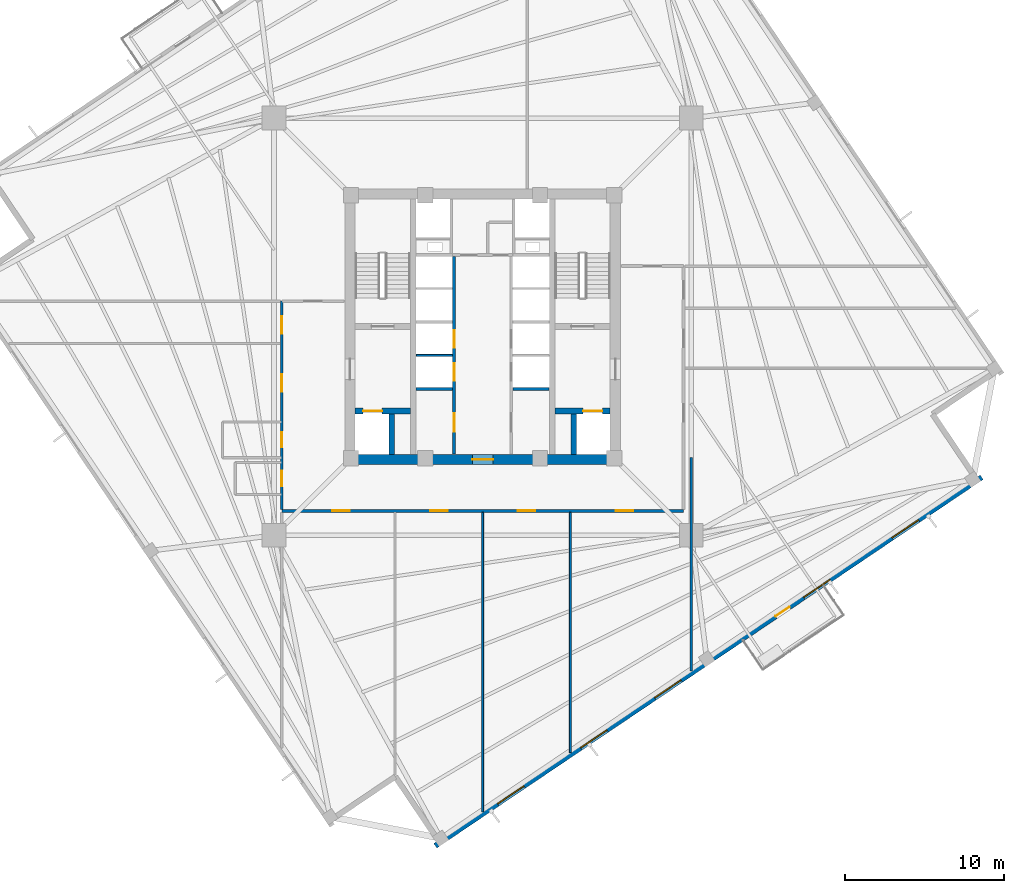
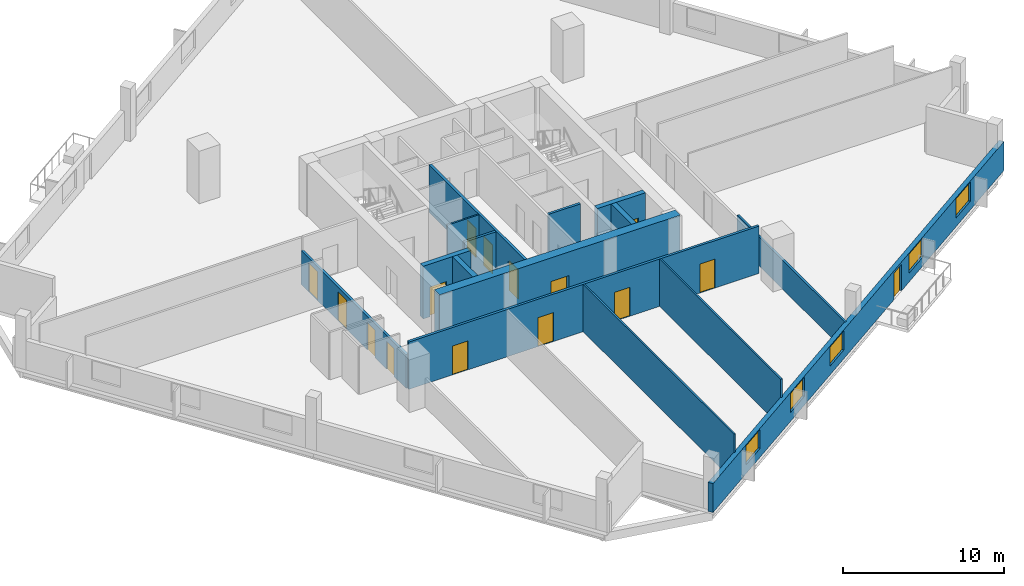
# One storey, part 3 of 8: 15 doors, 15 walls, 5 windows, 20 openings.
"""IFC4 building model written with IfcOpenShell, lengths in metres."""

import ifcopenshell
import ifcopenshell.guid

model = None  # the IFC model being written
_history = None  # IfcOwnerHistory: only IFC2X3 demands one
_inside = {}  # id of a spatial element -> (the spatial element, [elements in it])
_under = {}  # id of a project, library or spatial element -> (it, [spatial elements below it])
_declared = {}  # id of a project -> (the project, [libraries it declares])
_typed = {}  # id of a type object -> (the type object, [elements of that type])
_made_of = {}  # id of a material, layer set ... -> (it, [elements and type objects made of it])


def new_model(schema):
    """Start an empty IFC model of exactly this schema.

    Asked for "IFC4X3", IfcOpenShell would pick the latest addendum, in which some entities
    have other attributes; the version numbers below select the first issue.
    IFC2X3 requires an IfcOwnerHistory on every rooted entity: one is made here for all.
    """
    global model, _history
    if schema == "IFC4X3":
        model = ifcopenshell.file(schema_version=(4, 3, 0, 0))
    else:
        model = ifcopenshell.file(schema=schema)
    _inside.clear()
    _under.clear()
    _declared.clear()
    _typed.clear()
    _made_of.clear()
    _history = None
    if model.schema == "IFC2X3":
        org = make("IfcOrganization", Name="unknown")
        user = make(
            "IfcPersonAndOrganization",
            ThePerson=make("IfcPerson", FamilyName="unknown"),
            TheOrganization=org,
        )
        app = make(
            "IfcApplication",
            ApplicationDeveloper=org,
            Version="unknown",
            ApplicationFullName="unknown",
            ApplicationIdentifier="unknown",
        )
        _history = make(
            "IfcOwnerHistory",
            OwningUser=user,
            OwningApplication=app,
            ChangeAction="ADDED",
            CreationDate=0,
        )
    return model


def make(cls, **values):
    """One entity of the class cls with the attributes given. An attribute that is None is left unset."""
    return model.create_entity(
        cls, **{name: value for name, value in values.items() if value is not None}
    )


def rooted(cls, **values):
    """An entity with a GlobalId (a new one), such as an element, a storey or a relation."""
    return make(cls, GlobalId=ifcopenshell.guid.new(), OwnerHistory=_history, **values)


def si_unit(unit_type, name, prefix=None):
    """IfcSIUnit, for example si_unit("LENGTHUNIT", "METRE", prefix="MILLI")."""
    return make("IfcSIUnit", UnitType=unit_type, Prefix=prefix, Name=name)


def assignment(units):
    """IfcUnitAssignment: the units of a project."""
    return None if units is None else make("IfcUnitAssignment", Units=units)


def point(xyz):
    """IfcCartesianPoint."""
    return None if xyz is None else make("IfcCartesianPoint", Coordinates=xyz)


def direction(xyz):
    """IfcDirection."""
    return None if xyz is None else make("IfcDirection", DirectionRatios=xyz)


def frame(location, z_axis=None, x_axis=None):
    """IfcAxis2Placement3D, a coordinate frame: its origin and axes. An axis left out is left unset."""
    return make(
        "IfcAxis2Placement3D",
        Location=point(location),
        Axis=direction(z_axis),
        RefDirection=direction(x_axis),
    )


def frame_2d(location, x_axis=None):
    """IfcAxis2Placement2D, a coordinate frame in the plane: its origin and x axis."""
    return make(
        "IfcAxis2Placement2D", Location=point(location), RefDirection=direction(x_axis)
    )


def origin():
    """The frame at (0, 0, 0) with its axes left unset."""
    return frame((0.0, 0.0, 0.0))


def place(relative_to, where):
    """IfcLocalPlacement: puts the frame where relative to a parent placement (None: the world)."""
    return make(
        "IfcLocalPlacement", PlacementRelTo=relative_to, RelativePlacement=where
    )


def context(
    kind, dimensions, precision=None, world=None, true_north=None, identifier=None
):
    """IfcGeometricRepresentationContext, for example the 3D "Model" context."""
    return make(
        "IfcGeometricRepresentationContext",
        ContextIdentifier=identifier,
        ContextType=kind,
        CoordinateSpaceDimension=dimensions,
        Precision=precision,
        WorldCoordinateSystem=world,
        TrueNorth=true_north,
    )


def subcontext(parent, identifier, kind, view, scale=None):
    """IfcGeometricRepresentationSubContext, for example "Body" below "Model"."""
    return make(
        "IfcGeometricRepresentationSubContext",
        ContextIdentifier=identifier,
        ContextType=kind,
        ParentContext=parent,
        TargetScale=scale,
        TargetView=view,
    )


def project(units=None, contexts=None):
    """IfcProject with its units and contexts."""
    return rooted(
        "IfcProject",
        Name="project",
        RepresentationContexts=contexts,
        UnitsInContext=assignment(units),
    )


def spatial(cls, under=None, at=None, **own):
    """A site, building, storey or space (cls), placed at a placement, below another one or the project."""
    s = rooted(cls, ObjectPlacement=at, **own)
    if under is not None:
        _under.setdefault(under.id(), (under, []))[1].append(s)
    return s


def profile(cls, at=None, kind="AREA", **sizes):
    """A parametric profile (cls). Its sizes go by their IFC names, for example OverallWidth=200.0."""
    return make(cls, ProfileType=kind, Position=at, **sizes)


def rectangle(**sizes):
    """IfcRectangleProfileDef."""
    return profile("IfcRectangleProfileDef", **sizes)


def extrude(swept, where, along, depth):
    """IfcExtrudedAreaSolid: the profile swept, set in the frame where, extruded along a direction by depth."""
    return make(
        "IfcExtrudedAreaSolid",
        SweptArea=swept,
        Position=where,
        ExtrudedDirection=direction(along),
        Depth=depth,
    )


def shape(context_of_items, identifier, shape_type, items):
    """IfcShapeRepresentation: the items that make up one representation, for example the "Body"."""
    return make(
        "IfcShapeRepresentation",
        ContextOfItems=context_of_items,
        RepresentationIdentifier=identifier,
        RepresentationType=shape_type,
        Items=items,
    )


def source(mapping_origin, context_of_items, identifier, shape_type, items):
    """IfcRepresentationMap: a shape defined once, which mapped items show again and again."""
    return make(
        "IfcRepresentationMap",
        MappingOrigin=mapping_origin,
        MappedRepresentation=shape(context_of_items, identifier, shape_type, items),
    )


def transform(
    local_origin,
    x_axis=None,
    y_axis=None,
    z_axis=None,
    scale=None,
    scale2=None,
    scale3=None,
    uniform=True,
):
    """IfcCartesianTransformationOperator3D, or its non-uniform kind. x_axis, y_axis, z_axis: its Axis1, 2, 3."""
    if uniform:
        return make(
            "IfcCartesianTransformationOperator3D",
            Axis1=direction(x_axis),
            Axis2=direction(y_axis),
            LocalOrigin=point(local_origin),
            Scale=scale,
            Axis3=direction(z_axis),
        )
    return make(
        "IfcCartesianTransformationOperator3DnonUniform",
        Axis1=direction(x_axis),
        Axis2=direction(y_axis),
        LocalOrigin=point(local_origin),
        Scale=scale,
        Axis3=direction(z_axis),
        Scale2=scale2,
        Scale3=scale3,
    )


def mapped(mapping_source, mapping_target):
    """IfcMappedItem: shows the shape of a source again, moved by a transform."""
    return make(
        "IfcMappedItem", MappingSource=mapping_source, MappingTarget=mapping_target
    )


def material(Name=None, Category=None):
    """IfcMaterial."""
    return make("IfcMaterial", Name=Name, Category=Category)


def layer(
    of_material, thickness, ventilated=None, Name=None, Category=None, Priority=None
):
    """IfcMaterialLayer: one layer of a wall or slab, of a material (None: an air gap)."""
    return make(
        "IfcMaterialLayer",
        Material=of_material,
        LayerThickness=thickness,
        IsVentilated=ventilated,
        Name=Name,
        Category=Category,
        Priority=Priority,
    )


def layer_set(layers, Name=None):
    """IfcMaterialLayerSet."""
    return make("IfcMaterialLayerSet", MaterialLayers=layers, LayerSetName=Name)


def made_of(thing, what):
    """Note that an element or type object is made of a material, layer set ...; save() writes the relation."""
    if what is not None:
        _made_of.setdefault(what.id(), (what, []))[1].append(thing)
    return thing


def type_object(cls, material=None, **own):
    """A type object (cls), such as IfcWallType, which elements share."""
    return made_of(rooted(cls, **own), material)


def element(
    cls,
    number,
    at=None,
    inside=None,
    cuts=None,
    type_object=None,
    material=None,
    context=None,
    identifier="Body",
    shape_type=None,
    held_by="IfcProductDefinitionShape",
    body=None,
    shapes=None,
    **own,
):
    """One element of the class cls, such as IfcWall. Its Tag is "e" and its number.

    at: its placement. inside: the storey or other place that contains it. cuts: it is an
    opening in that element (IfcRelVoidsElement). A single representation is given by context,
    identifier, shape_type and body (its items); several are given by shapes. held_by: the class
    of the entity that holds the representations. save() writes the other relations.
    """
    e = rooted(cls, Tag="e%d" % number, ObjectPlacement=at, **own)
    if body is not None:
        shapes = [shape(context, identifier, shape_type, body)]
    if shapes is not None:
        e.Representation = make(held_by, Representations=shapes)
    if inside is not None:
        _inside.setdefault(inside.id(), (inside, []))[1].append(e)
    if cuts is not None:
        rooted(
            "IfcRelVoidsElement", RelatingBuildingElement=cuts, RelatedOpeningElement=e
        )
    if type_object is not None:
        _typed.setdefault(type_object.id(), (type_object, []))[1].append(e)
    return made_of(e, material)


def fill(opening, filler):
    """IfcRelFillsElement: the door or window that sits in an opening."""
    return rooted(
        "IfcRelFillsElement",
        RelatingOpeningElement=opening,
        RelatedBuildingElement=filler,
    )


def aggregate(whole, parts):
    """IfcRelAggregates: a whole, such as a stair, and the parts it consists of."""
    return rooted("IfcRelAggregates", RelatingObject=whole, RelatedObjects=parts)


def save(model, path):
    """Write the relations noted so far, then the file.

    IfcRelAggregates (storeys below a building ...), IfcRelContainedInSpatialStructure (elements
    in a storey), IfcRelDefinesByType, IfcRelAssociatesMaterial and IfcRelDeclares: one each for
    every whole, place, type object, material and project.
    """
    for whole, parts in _under.values():
        aggregate(whole, parts)
    for where, things in _inside.values():
        rooted(
            "IfcRelContainedInSpatialStructure",
            RelatedElements=things,
            RelatingStructure=where,
        )
    for kind, things in _typed.values():
        rooted("IfcRelDefinesByType", RelatedObjects=things, RelatingType=kind)
    for what, things in _made_of.values():
        rooted("IfcRelAssociatesMaterial", RelatedObjects=things, RelatingMaterial=what)
    for by, libraries in _declared.values():
        rooted("IfcRelDeclares", RelatingContext=by, RelatedDefinitions=libraries)
    model.write(path)


model = new_model("IFC4")

# Units and contexts
model_context = context("Model", 3, precision=1e-05, world=origin(), true_north=direction((0.0, 1.0)))
body_context = subcontext(model_context, "Body", "Model", "MODEL_VIEW")
ifc_project = project(units=[si_unit("LENGTHUNIT", "METRE"), si_unit("AREAUNIT", "SQUARE_METRE"), si_unit("VOLUMEUNIT", "CUBIC_METRE"), si_unit("PLANEANGLEUNIT", "RADIAN"), si_unit("MASSUNIT", "GRAM", prefix="KILO"), si_unit("THERMODYNAMICTEMPERATUREUNIT", "KELVIN")], contexts=[model_context])

# Site, building, storey
site_placement = place(None, origin())
site = spatial("IfcSite", under=ifc_project, at=site_placement, CompositionType="ELEMENT")
building_placement = place(site_placement, origin())
building = spatial("IfcBuilding", under=site, at=building_placement, Name="Kosmvard Interchange Tower", CompositionType="ELEMENT")
storey_placement = place(building_placement, frame((0.0, 0.0, 196.39990234375)))
storey = spatial("IfcBuildingStorey", under=building, at=storey_placement, Name="L47", CompositionType="ELEMENT", Elevation=196.39990234375)

# Wall
ifc_material_1 = material(Name="Acoustic gypsum partition system")
ifc_layer_1 = layer(ifc_material_1, 0.14990234375, Name="Acoustic gypsum partition system")
ifc_layer_set_1 = layer_set([ifc_layer_1], Name="Acoustic gypsum partition system")
wall_type_1 = type_object("IfcWallType", Name="Acoustic Suite & Meeting Partition 150", PredefinedType="PARTITIONING", material=ifc_layer_set_1)
wall_1_placement = place(storey_placement, frame((13.0810546875, -8.199951171875, 0.0), z_axis=(0.0, 0.0, 1.0), x_axis=(0.0, -1.0, 0.0)))
element("IfcWall", 1, at=wall_1_placement, inside=storey, type_object=wall_type_1, Name="L47 Room Partition 11.1", PredefinedType="PARTITIONING", context=body_context, shape_type="SweptSolid", body=[
    extrude(rectangle(XDim=13.403564453125, YDim=0.14990234375, at=frame_2d((6.70166015625, 0.0))), origin(), (0.0, 0.0, 1.0), 2.2001953125),
])

# Wall, openings, doors
ifc_material_2 = material(Name="Fire-rated gypsum partition system")
ifc_layer_2 = layer(ifc_material_2, 0.179931640625, Name="Fire-rated gypsum partition system")
ifc_layer_set_2 = layer_set([ifc_layer_2], Name="Fire-rated gypsum partition system")
wall_type_2 = type_object("IfcWallType", Name="Corridor & Hotel Compartment Partition 180", PredefinedType="PARTITIONING", material=ifc_layer_set_2)
wall_2_placement = place(storey_placement, frame((-1.7900390625, -7.97998046875, 0.0), z_axis=(0.0, 0.0, 1.0), x_axis=(0.0, 1.0, 0.0)))
wall_2 = element("IfcWall", 2, at=wall_2_placement, inside=storey, type_object=wall_type_2, Name="L47 West Lift Bank Front Wall", PredefinedType="PARTITIONING", context=body_context, shape_type="SweptSolid", body=[
    extrude(rectangle(XDim=12.3798828125, YDim=0.179931640625, at=frame_2d((6.18994140625, 0.0))), origin(), (0.0, 0.0, 1.0), 3.60009765625),
])
opening_1_placement = place(wall_2_placement, frame((4.60009765625, 0.0, 0.0)))
opening_1 = element("IfcOpeningElement", 3, at=opening_1_placement, cuts=wall_2, Name="Opening LD-PL-M1-L47", PredefinedType="OPENING", context=body_context, shape_type="SweptSolid", body=[
    extrude(rectangle(XDim=1.10009765625, YDim=2.199951171875, at=frame_2d((0.550048828125, 1.10009765625))), frame((0.0, 0.10009765625, 0.0), z_axis=(0.0, -1.0, 0.0), x_axis=(1.0, 0.0, 0.0)), (0.0, 0.0, 1.0), 0.199951171875),
])
opening_2_placement = place(wall_2_placement, frame((6.659912109375, 0.0, 0.0)))
opening_2 = element("IfcOpeningElement", 4, at=opening_2_placement, cuts=wall_2, Name="Opening LD-PL-M2-L47", PredefinedType="OPENING", context=body_context, shape_type="SweptSolid", body=[
    extrude(rectangle(XDim=1.10009765625, YDim=2.199951171875, at=frame_2d((0.550048828125, 1.10009765625))), frame((0.0, 0.10009765625, 0.0), z_axis=(0.0, -1.0, 0.0), x_axis=(1.0, 0.0, 0.0)), (0.0, 0.0, 1.0), 0.199951171875),
])
opening_3_placement = place(wall_2_placement, frame((1.39990234375, 0.0, 0.0)))
opening_3 = element("IfcOpeningElement", 5, at=opening_3_placement, cuts=wall_2, Name="Opening L47-CD1", PredefinedType="OPENING", context=body_context, shape_type="SweptSolid", body=[
    extrude(rectangle(XDim=1.14990234375, YDim=2.25, at=frame_2d((0.574951171875, 1.125))), frame((0.0, 0.10009765625, 0.0), z_axis=(0.0, -1.0, 0.0), x_axis=(1.0, 0.0, 0.0)), (0.0, 0.0, 1.0), 0.199951171875),
])
ifc_material_3 = material(Name="Painted fire-rated steel leaf", Category="steel")
door_type_1 = type_object("IfcDoorType", Name="Plant & Riser Fire Door 1150x2250 EI60", OperationType="NOTDEFINED", PredefinedType="DOOR", material=ifc_material_3)
shared_shape_1 = source(origin(), body_context, "Body", "SweptSolid", [
    extrude(rectangle(XDim=1.14990234375, YDim=2.25, at=frame_2d((0.574951171875, 1.125))), frame((0.0, 0.02490234375, 0.0), z_axis=(0.0, -1.0, 0.0), x_axis=(1.0, 0.0, 0.0)), (0.0, 0.0, 1.0), 0.050048828125),
])
door_1_placement = place(opening_3_placement, origin())
door_1 = element("IfcDoor", 6, at=door_1_placement, inside=storey, type_object=door_type_1, Name="L47 Core Switch Door", OperationType="SINGLE_SWING_LEFT", OverallHeight=2.25, OverallWidth=1.14990234375, PredefinedType="DOOR", context=body_context, shape_type="MappedRepresentation", body=[
    mapped(shared_shape_1, transform((0.0, 0.0, 0.0), scale=1.0)),
])
fill(opening_3, door_1)
ifc_material_4 = material(Name="Brushed stainless steel sliding leaf", Category="steel")
door_type_2 = type_object("IfcDoorType", Name="Passenger Lift Sliding Landing Door 1100x2200 EI60", OperationType="DOUBLE_DOOR_SLIDING", PredefinedType="DOOR", material=ifc_material_4)
shared_shape_2 = source(origin(), body_context, "Body", "SweptSolid", [
    extrude(rectangle(XDim=1.10009765625, YDim=2.199951171875, at=frame_2d((0.550048828125, 1.10009765625))), frame((0.0, 0.02490234375, 0.0), z_axis=(0.0, -1.0, 0.0), x_axis=(1.0, 0.0, 0.0)), (0.0, 0.0, 1.0), 0.050048828125),
])
door_2_placement = place(opening_1_placement, frame((1.10009765625, 0.0, 0.0), z_axis=(0.0, 0.0, 1.0), x_axis=(-1.0, 0.0, 0.0)))
door_2 = element("IfcDoor", 7, at=door_2_placement, inside=storey, type_object=door_type_2, Name="Lift PL-M1 Landing Door L47", OperationType="DOUBLE_DOOR_SLIDING", OverallHeight=2.199951171875, OverallWidth=1.10009765625, PredefinedType="DOOR", context=body_context, shape_type="MappedRepresentation", body=[
    mapped(shared_shape_2, transform((0.0, 0.0, 0.0), scale=1.0)),
])
fill(opening_1, door_2)
door_3_placement = place(opening_2_placement, frame((1.10009765625, 0.0, 0.0), z_axis=(0.0, 0.0, 1.0), x_axis=(-1.0, 0.0, 0.0)))
door_3 = element("IfcDoor", 8, at=door_3_placement, inside=storey, type_object=door_type_2, Name="Lift PL-M2 Landing Door L47", OperationType="DOUBLE_DOOR_SLIDING", OverallHeight=2.199951171875, OverallWidth=1.10009765625, PredefinedType="DOOR", context=body_context, shape_type="MappedRepresentation", body=[
    mapped(shared_shape_2, transform((0.0, 0.0, 0.0), scale=1.0)),
])
fill(opening_2, door_3)

wall_3_placement = place(storey_placement, frame((-12.60009765625, -11.550048828125, 0.0), z_axis=(0.0, 0.0, 1.0), x_axis=(1.0, 0.0, 0.0)))
wall_3 = element("IfcWall", 9, at=wall_3_placement, inside=storey, type_object=wall_type_2, Name="L47 Corridor Wall CS", PredefinedType="PARTITIONING", context=body_context, shape_type="SweptSolid", body=[
    extrude(rectangle(XDim=25.2001953125, YDim=0.179931640625, at=frame_2d((12.60009765625, 0.0))), origin(), (0.0, 0.0, 1.0), 3.60009765625),
])
opening_4_placement = place(wall_3_placement, frame((3.16455078125, 0.0, 0.0)))
opening_4 = element("IfcOpeningElement", 10, at=opening_4_placement, cuts=wall_3, Name="Opening L47-D08", PredefinedType="OPENING", context=body_context, shape_type="SweptSolid", body=[
    extrude(rectangle(XDim=1.10009765625, YDim=2.199951171875, at=frame_2d((0.550048828125, 1.10009765625))), frame((0.0, 0.10009765625, 0.0), z_axis=(0.0, -1.0, 0.0), x_axis=(1.0, 0.0, 0.0)), (0.0, 0.0, 1.0), 0.199951171875),
])
opening_5_placement = place(wall_3_placement, frame((9.300048828125, 0.0, 0.0)))
opening_5 = element("IfcOpeningElement", 11, at=opening_5_placement, cuts=wall_3, Name="Opening L47-D09", PredefinedType="OPENING", context=body_context, shape_type="SweptSolid", body=[
    extrude(rectangle(XDim=1.10009765625, YDim=2.199951171875, at=frame_2d((0.550048828125, 1.10009765625))), frame((0.0, 0.10009765625, 0.0), z_axis=(0.0, -1.0, 0.0), x_axis=(1.0, 0.0, 0.0)), (0.0, 0.0, 1.0), 0.199951171875),
])
opening_6_placement = place(wall_3_placement, frame((14.800048828125, 0.0, 0.0)))
opening_6 = element("IfcOpeningElement", 12, at=opening_6_placement, cuts=wall_3, Name="Opening L47-D10", PredefinedType="OPENING", context=body_context, shape_type="SweptSolid", body=[
    extrude(rectangle(XDim=1.10009765625, YDim=2.199951171875, at=frame_2d((0.550048828125, 1.10009765625))), frame((0.0, 0.10009765625, 0.0), z_axis=(0.0, -1.0, 0.0), x_axis=(1.0, 0.0, 0.0)), (0.0, 0.0, 1.0), 0.199951171875),
])
opening_7_placement = place(wall_3_placement, frame((20.935546875, 0.0, 0.0)))
opening_7 = element("IfcOpeningElement", 13, at=opening_7_placement, cuts=wall_3, Name="Opening L47-D11", PredefinedType="OPENING", context=body_context, shape_type="SweptSolid", body=[
    extrude(rectangle(XDim=1.10009765625, YDim=2.199951171875, at=frame_2d((0.550048828125, 1.10009765625))), frame((0.0, 0.10009765625, 0.0), z_axis=(0.0, -1.0, 0.0), x_axis=(1.0, 0.0, 0.0)), (0.0, 0.0, 1.0), 0.199951171875),
])
ifc_material_5 = material(Name="Engineered oak fire-rated timber", Category="wood")
door_type_3 = type_object("IfcDoorType", Name="Office Suite Entrance Door 1100x2200 FD30S", OperationType="NOTDEFINED", PredefinedType="DOOR", material=ifc_material_5)
door_4_placement = place(opening_4_placement, frame((1.10009765625, 0.0, 0.0), z_axis=(0.0, 0.0, 1.0), x_axis=(-1.0, 0.0, 0.0)))
door_4 = element("IfcDoor", 14, at=door_4_placement, inside=storey, type_object=door_type_3, Name="L47 Boardroom 3 Door", OperationType="SINGLE_SWING_RIGHT", OverallHeight=2.199951171875, OverallWidth=1.10009765625, PredefinedType="DOOR", context=body_context, shape_type="MappedRepresentation", body=[
    mapped(shared_shape_2, transform((0.0, 0.0, 0.0), scale=1.0)),
])
fill(opening_4, door_4)
door_5_placement = place(opening_5_placement, frame((1.10009765625, 0.0, 0.0), z_axis=(0.0, 0.0, 1.0), x_axis=(-1.0, 0.0, 0.0)))
door_5 = element("IfcDoor", 15, at=door_5_placement, inside=storey, type_object=door_type_3, Name="L47 Seminar Room 4 Door", OperationType="SINGLE_SWING_LEFT", OverallHeight=2.199951171875, OverallWidth=1.10009765625, PredefinedType="DOOR", context=body_context, shape_type="MappedRepresentation", body=[
    mapped(shared_shape_2, transform((0.0, 0.0, 0.0), scale=1.0)),
])
fill(opening_5, door_5)
door_6_placement = place(opening_6_placement, frame((1.10009765625, 0.0, 0.0), z_axis=(0.0, 0.0, 1.0), x_axis=(-1.0, 0.0, 0.0)))
door_6 = element("IfcDoor", 16, at=door_6_placement, inside=storey, type_object=door_type_3, Name="L47 Video Briefing Room 5 Door", OperationType="SINGLE_SWING_RIGHT", OverallHeight=2.199951171875, OverallWidth=1.10009765625, PredefinedType="DOOR", context=body_context, shape_type="MappedRepresentation", body=[
    mapped(shared_shape_2, transform((0.0, 0.0, 0.0), scale=1.0)),
])
fill(opening_6, door_6)
door_7_placement = place(opening_7_placement, frame((1.10009765625, 0.0, 0.0), z_axis=(0.0, 0.0, 1.0), x_axis=(-1.0, 0.0, 0.0)))
door_7 = element("IfcDoor", 17, at=door_7_placement, inside=storey, type_object=door_type_3, Name="L47 Breakout Pantry Door", OperationType="SINGLE_SWING_LEFT", OverallHeight=2.199951171875, OverallWidth=1.10009765625, PredefinedType="DOOR", context=body_context, shape_type="MappedRepresentation", body=[
    mapped(shared_shape_2, transform((0.0, 0.0, 0.0), scale=1.0)),
])
fill(opening_7, door_7)

wall_4_placement = place(storey_placement, frame((-12.60009765625, -11.449951171875, 0.0), z_axis=(0.0, 0.0, 1.0), x_axis=(0.0, 1.0, 0.0)))
wall_4 = element("IfcWall", 18, at=wall_4_placement, inside=storey, type_object=wall_type_2, Name="L47 Corridor Wall CW", PredefinedType="PARTITIONING", context=body_context, shape_type="SweptSolid", body=[
    extrude(rectangle(XDim=13.050048828125, YDim=0.179931640625, at=frame_2d((6.52490234375, 0.0))), origin(), (0.0, 0.0, 1.0), 2.56005859375),
])
opening_8_placement = place(wall_4_placement, frame((1.455078125, 0.0, 0.0)))
opening_8 = element("IfcOpeningElement", 19, at=opening_8_placement, cuts=wall_4, Name="Opening L47-D01", PredefinedType="OPENING", context=body_context, shape_type="SweptSolid", body=[
    extrude(rectangle(XDim=0.949951171875, YDim=2.10009765625, at=frame_2d((0.47509765625, 1.050048828125))), frame((0.0, 0.10009765625, 0.0), z_axis=(0.0, -1.0, 0.0), x_axis=(1.0, 0.0, 0.0)), (0.0, 0.0, 1.0), 0.199951171875),
])
opening_9_placement = place(wall_4_placement, frame((3.879150390625, 0.0, 0.0)))
opening_9 = element("IfcOpeningElement", 20, at=opening_9_placement, cuts=wall_4, Name="Opening L47-D02", PredefinedType="OPENING", context=body_context, shape_type="SweptSolid", body=[
    extrude(rectangle(XDim=0.949951171875, YDim=2.10009765625, at=frame_2d((0.47509765625, 1.050048828125))), frame((0.0, 0.10009765625, 0.0), z_axis=(0.0, -1.0, 0.0), x_axis=(1.0, 0.0, 0.0)), (0.0, 0.0, 1.0), 0.199951171875),
])
opening_10_placement = place(wall_4_placement, frame((11.010498046875, 0.0, 0.0)))
opening_10 = element("IfcOpeningElement", 21, at=opening_10_placement, cuts=wall_4, Name="Opening L47-D03", PredefinedType="OPENING", context=body_context, shape_type="SweptSolid", body=[
    extrude(rectangle(XDim=1.10009765625, YDim=2.199951171875, at=frame_2d((0.550048828125, 1.10009765625))), frame((0.0, 0.10009765625, 0.0), z_axis=(0.0, -1.0, 0.0), x_axis=(1.0, 0.0, 0.0)), (0.0, 0.0, 1.0), 0.199951171875),
])
opening_11_placement = place(wall_4_placement, frame((7.383544921875, 0.0, 0.0)))
opening_11 = element("IfcOpeningElement", 22, at=opening_11_placement, cuts=wall_4, Name="Opening L47-D07", PredefinedType="OPENING", context=body_context, shape_type="SweptSolid", body=[
    extrude(rectangle(XDim=1.10009765625, YDim=2.199951171875, at=frame_2d((0.550048828125, 1.10009765625))), frame((0.0, 0.10009765625, 0.0), z_axis=(0.0, -1.0, 0.0), x_axis=(1.0, 0.0, 0.0)), (0.0, 0.0, 1.0), 0.199951171875),
])
ifc_material_6 = material(Name="Laminated moisture-resistant timber", Category="wood")
door_type_4 = type_object("IfcDoorType", Name="Accessible Washroom Door 950x2100", OperationType="NOTDEFINED", PredefinedType="DOOR", material=ifc_material_6)
shared_shape_3 = source(origin(), body_context, "Body", "SweptSolid", [
    extrude(rectangle(XDim=0.949951171875, YDim=2.10009765625, at=frame_2d((0.47509765625, 1.050048828125))), frame((0.0, 0.02490234375, 0.0), z_axis=(0.0, -1.0, 0.0), x_axis=(1.0, 0.0, 0.0)), (0.0, 0.0, 1.0), 0.050048828125),
])
door_8_placement = place(opening_8_placement, origin())
door_8 = element("IfcDoor", 23, at=door_8_placement, inside=storey, type_object=door_type_4, Name="L47 Accessible Toilet Door", OperationType="SINGLE_SWING_LEFT", OverallHeight=2.10009765625, OverallWidth=0.949951171875, PredefinedType="DOOR", context=body_context, shape_type="MappedRepresentation", body=[
    mapped(shared_shape_3, transform((0.0, 0.0, 0.0), scale=1.0)),
])
fill(opening_8, door_8)
door_9_placement = place(opening_9_placement, origin())
door_9 = element("IfcDoor", 24, at=door_9_placement, inside=storey, type_object=door_type_4, Name="L47 Public Floor Washroom Door", OperationType="SINGLE_SWING_RIGHT", OverallHeight=2.10009765625, OverallWidth=0.949951171875, PredefinedType="DOOR", context=body_context, shape_type="MappedRepresentation", body=[
    mapped(shared_shape_3, transform((0.0, 0.0, 0.0), scale=1.0)),
])
fill(opening_9, door_9)
door_10_placement = place(opening_10_placement, origin())
door_10 = element("IfcDoor", 25, at=door_10_placement, inside=storey, type_object=door_type_3, Name="L47 West Customs Seminar Room 1 Door", OperationType="SINGLE_SWING_LEFT", OverallHeight=2.199951171875, OverallWidth=1.10009765625, PredefinedType="DOOR", context=body_context, shape_type="MappedRepresentation", body=[
    mapped(shared_shape_2, transform((0.0, 0.0, 0.0), scale=1.0)),
])
fill(opening_10, door_10)
door_11_placement = place(opening_11_placement, origin())
door_11 = element("IfcDoor", 26, at=door_11_placement, inside=storey, type_object=door_type_3, Name="L47 South-West Open Analytics Workplace Door", OperationType="SINGLE_SWING_LEFT", OverallHeight=2.199951171875, OverallWidth=1.10009765625, PredefinedType="DOOR", context=body_context, shape_type="MappedRepresentation", body=[
    mapped(shared_shape_2, transform((0.0, 0.0, 0.0), scale=1.0)),
])
fill(opening_11, door_11)

# Wall, opening, door
ifc_material_7 = material(Name="Concrete C70/85", Category="concrete")
ifc_layer_3 = layer(ifc_material_7, 0.64990234375, Name="Concrete C70/85")
ifc_layer_set_3 = layer_set([ifc_layer_3], Name="Concrete C70/85")
wall_type_3 = type_object("IfcWallType", Name="Mid Core Shear Wall 650 C70/85", PredefinedType="SHEAR", material=ifc_layer_set_3)
wall_5_placement = place(storey_placement, frame((-8.64990234375, -8.324951171875, 0.0), z_axis=(0.0, 0.0, 1.0), x_axis=(1.0, 0.0, 0.0)))
wall_5 = element("IfcWall", 27, at=wall_5_placement, inside=storey, type_object=wall_type_3, Name="L47 Core Shear Wall CW-S", PredefinedType="SHEAR", context=body_context, shape_type="SweptSolid", body=[
    extrude(rectangle(XDim=17.2998046875, YDim=0.64990234375, at=frame_2d((8.64990234375, 0.0))), origin(), (0.0, 0.0, 1.0), 4.0),
])
opening_12_placement = place(wall_5_placement, frame((8.0, 0.0, 0.0)))
opening_12 = element("IfcOpeningElement", 28, at=opening_12_placement, cuts=wall_5, Name="Opening L47-LD0", PredefinedType="OPENING", context=body_context, shape_type="SweptSolid", body=[
    extrude(rectangle(XDim=1.300048828125, YDim=2.199951171875, at=frame_2d((0.64990234375, 1.10009765625))), frame((0.0, 0.3349609375, 0.0), z_axis=(0.0, -1.0, 0.0), x_axis=(1.0, 0.0, 0.0)), (0.0, 0.0, 1.0), 0.669921875),
])
door_type_5 = type_object("IfcDoorType", Name="Firefighting Lobby Door 1300x2200 EI60", OperationType="NOTDEFINED", PredefinedType="DOOR", material=ifc_material_3)
shared_shape_4 = source(origin(), body_context, "Body", "SweptSolid", [
    extrude(rectangle(XDim=1.300048828125, YDim=2.199951171875, at=frame_2d((0.64990234375, 1.10009765625))), frame((0.0, 0.02490234375, 0.0), z_axis=(0.0, -1.0, 0.0), x_axis=(1.0, 0.0, 0.0)), (0.0, 0.0, 1.0), 0.050048828125),
])
door_12_placement = place(opening_12_placement, frame((1.300048828125, 0.0, 0.0), z_axis=(0.0, 0.0, 1.0), x_axis=(-1.0, 0.0, 0.0)))
door_12 = element("IfcDoor", 29, at=door_12_placement, inside=storey, type_object=door_type_5, Name="L47 Passenger Lift Lobby South Door", OperationType="SINGLE_SWING_RIGHT", OverallHeight=2.199951171875, OverallWidth=1.300048828125, PredefinedType="DOOR", context=body_context, shape_type="MappedRepresentation", body=[
    mapped(shared_shape_4, transform((0.0, 0.0, 0.0), scale=1.0)),
])
fill(opening_12, door_12)

# Wall, openings, windows, door
ifc_material_8 = material(Name="Precast concrete C45/55", Category="concrete")
ifc_layer_4 = layer(ifc_material_8, 0.340087890625, Name="Precast concrete C45/55")
ifc_layer_set_4 = layer_set([ifc_layer_4], Name="Precast concrete C45/55")
wall_type_4 = type_object("IfcWallType", Name="Mid Tower Precast Pier Wall 340 C45/55", PredefinedType="STANDARD", material=ifc_layer_set_4)
wall_6_placement = place(storey_placement, frame((-2.971923828125, -32.55810546875, 0.0), z_axis=(0.0, 0.0, 1.0), x_axis=(0.829036218961, 0.559194910251, 0.0)))
wall_6 = element("IfcWall", 30, at=wall_6_placement, inside=storey, type_object=wall_type_4, Name="L47 Precast Facade Wall F-S", PredefinedType="STANDARD", context=body_context, shape_type="SweptSolid", body=[
    extrude(rectangle(XDim=41.340087890625, YDim=0.340087890625, at=frame_2d((20.669921875, 0.0))), origin(), (0.0, 0.0, 1.0), 2.2001953125),
])
opening_13_placement = place(wall_6_placement, frame((25.7451171875, 0.0, 0.0)))
opening_13 = element("IfcOpeningElement", 31, at=opening_13_placement, cuts=wall_6, Name="Opening L47-BDW", PredefinedType="OPENING", context=body_context, shape_type="SweptSolid", body=[
    extrude(rectangle(XDim=1.050048828125, YDim=2.02001953125, at=frame_2d((0.52490234375, 1.010009765625))), frame((0.0, 0.18017578125, 0.0), z_axis=(0.0, -1.0, 0.0), x_axis=(1.0, 0.0, 0.0)), (0.0, 0.0, 1.0), 0.360107421875),
])
opening_14_placement = place(wall_6_placement, frame((4.710693359375, 0.0, 0.669921875)))
opening_14 = element("IfcOpeningElement", 32, at=opening_14_placement, cuts=wall_6, Name="Opening L47-W01", PredefinedType="OPENING", context=body_context, shape_type="SweptSolid", body=[
    extrude(rectangle(XDim=2.0, YDim=1.449951171875, at=frame_2d((1.0, 0.72509765625))), frame((0.0, 0.18017578125, 0.0), z_axis=(0.0, -1.0, 0.0), x_axis=(1.0, 0.0, 0.0)), (0.0, 0.0, 1.0), 0.360107421875),
])
opening_15_placement = place(wall_6_placement, frame((10.988525390625, 0.0, 0.669921875)))
opening_15 = element("IfcOpeningElement", 33, at=opening_15_placement, cuts=wall_6, Name="Opening L47-W02", PredefinedType="OPENING", context=body_context, shape_type="SweptSolid", body=[
    extrude(rectangle(XDim=2.0, YDim=1.449951171875, at=frame_2d((1.0, 0.72509765625))), frame((0.0, 0.18017578125, 0.0), z_axis=(0.0, -1.0, 0.0), x_axis=(1.0, 0.0, 0.0)), (0.0, 0.0, 1.0), 0.360107421875),
])
opening_16_placement = place(wall_6_placement, frame((16.59326171875, 0.0, 0.669921875)))
opening_16 = element("IfcOpeningElement", 34, at=opening_16_placement, cuts=wall_6, Name="Opening L47-W03", PredefinedType="OPENING", context=body_context, shape_type="SweptSolid", body=[
    extrude(rectangle(XDim=2.0, YDim=1.449951171875, at=frame_2d((1.0, 0.72509765625))), frame((0.0, 0.18017578125, 0.0), z_axis=(0.0, -1.0, 0.0), x_axis=(1.0, 0.0, 0.0)), (0.0, 0.0, 1.0), 0.360107421875),
])
opening_17_placement = place(wall_6_placement, frame((27.861083984375, 0.0, 0.669921875)))
opening_17 = element("IfcOpeningElement", 35, at=opening_17_placement, cuts=wall_6, Name="Opening L47-W04", PredefinedType="OPENING", context=body_context, shape_type="SweptSolid", body=[
    extrude(rectangle(XDim=2.0, YDim=1.449951171875, at=frame_2d((1.0, 0.72509765625))), frame((0.0, 0.18017578125, 0.0), z_axis=(0.0, -1.0, 0.0), x_axis=(1.0, 0.0, 0.0)), (0.0, 0.0, 1.0), 0.360107421875),
])
opening_18_placement = place(wall_6_placement, frame((34.552490234375, 0.0, 0.669921875)))
opening_18 = element("IfcOpeningElement", 36, at=opening_18_placement, cuts=wall_6, Name="Opening L47-W05", PredefinedType="OPENING", context=body_context, shape_type="SweptSolid", body=[
    extrude(rectangle(XDim=2.0, YDim=1.449951171875, at=frame_2d((1.0, 0.72509765625))), frame((0.0, 0.18017578125, 0.0), z_axis=(0.0, -1.0, 0.0), x_axis=(1.0, 0.0, 0.0)), (0.0, 0.0, 1.0), 0.360107421875),
])
ifc_material_9 = material(Name="Low-E solar-control double glazing", Category="glass")
window_type = type_object("IfcWindowType", Name="Transfer Zone Punched Window 2000x1450", PartitioningType="SINGLE_PANEL", PredefinedType="WINDOW", material=ifc_material_9)
shared_shape_5 = source(origin(), body_context, "Body", "SweptSolid", [
    extrude(rectangle(XDim=2.0, YDim=1.449951171875, at=frame_2d((1.0, 0.72509765625))), frame((0.0, 0.030029296875, 0.0), z_axis=(0.0, -1.0, 0.0), x_axis=(1.0, 0.0, 0.0)), (0.0, 0.0, 1.0), 0.06005859375),
])
window_1_placement = place(opening_14_placement, origin())
window_1 = element("IfcWindow", 37, at=window_1_placement, inside=storey, type_object=window_type, Name="L47 Facade Punched Window 01", OverallHeight=1.449951171875, OverallWidth=2.0, PartitioningType="SINGLE_PANEL", PredefinedType="WINDOW", context=body_context, shape_type="MappedRepresentation", body=[
    mapped(shared_shape_5, transform((0.0, 0.0, 0.0), scale=1.0)),
])
fill(opening_14, window_1)
window_2_placement = place(opening_15_placement, origin())
window_2 = element("IfcWindow", 38, at=window_2_placement, inside=storey, type_object=window_type, Name="L47 Facade Punched Window 02", OverallHeight=1.449951171875, OverallWidth=2.0, PartitioningType="SINGLE_PANEL", PredefinedType="WINDOW", context=body_context, shape_type="MappedRepresentation", body=[
    mapped(shared_shape_5, transform((0.0, 0.0, 0.0), scale=1.0)),
])
fill(opening_15, window_2)
window_3_placement = place(opening_16_placement, origin())
window_3 = element("IfcWindow", 39, at=window_3_placement, inside=storey, type_object=window_type, Name="L47 Facade Punched Window 03", OverallHeight=1.449951171875, OverallWidth=2.0, PartitioningType="SINGLE_PANEL", PredefinedType="WINDOW", context=body_context, shape_type="MappedRepresentation", body=[
    mapped(shared_shape_5, transform((0.0, 0.0, 0.0), scale=1.0)),
])
fill(opening_16, window_3)
window_4_placement = place(opening_17_placement, origin())
window_4 = element("IfcWindow", 40, at=window_4_placement, inside=storey, type_object=window_type, Name="L47 Facade Punched Window 04", OverallHeight=1.449951171875, OverallWidth=2.0, PartitioningType="SINGLE_PANEL", PredefinedType="WINDOW", context=body_context, shape_type="MappedRepresentation", body=[
    mapped(shared_shape_5, transform((0.0, 0.0, 0.0), scale=1.0)),
])
fill(opening_17, window_4)
window_5_placement = place(opening_18_placement, origin())
window_5 = element("IfcWindow", 41, at=window_5_placement, inside=storey, type_object=window_type, Name="L47 Facade Punched Window 05", OverallHeight=1.449951171875, OverallWidth=2.0, PartitioningType="SINGLE_PANEL", PredefinedType="WINDOW", context=body_context, shape_type="MappedRepresentation", body=[
    mapped(shared_shape_5, transform((0.0, 0.0, 0.0), scale=1.0)),
])
fill(opening_18, window_5)
ifc_material_10 = material(Name="Anodised aluminium and safety glass", Category="aluminium")
door_type_6 = type_object("IfcDoorType", Name="Tree-Balcony Glazed Door 1050x2250", OperationType="NOTDEFINED", PredefinedType="DOOR", material=ifc_material_10)
shared_shape_6 = source(origin(), body_context, "Body", "SweptSolid", [
    extrude(rectangle(XDim=1.050048828125, YDim=2.02001953125, at=frame_2d((0.52490234375, 1.010009765625))), frame((0.0, 0.02490234375, 0.0), z_axis=(0.0, -1.0, 0.0), x_axis=(1.0, 0.0, 0.0)), (0.0, 0.0, 1.0), 0.050048828125),
])
door_13_placement = place(opening_13_placement, origin())
door_13 = element("IfcDoor", 42, at=door_13_placement, inside=storey, type_object=door_type_6, Name="L47 Tree-Balcony Door BAL-L47-SW", OperationType="SINGLE_SWING_RIGHT", OverallHeight=2.02001953125, OverallWidth=1.050048828125, PredefinedType="DOOR", context=body_context, shape_type="MappedRepresentation", body=[
    mapped(shared_shape_6, transform((0.0, 0.0, 0.0), scale=1.0)),
])
fill(opening_13, door_13)

# Walls
ifc_material_11 = material(Name="Gypsum board partition system")
ifc_layer_5 = layer(ifc_material_11, 0.1201171875, Name="Gypsum board partition system")
ifc_layer_set_5 = layer_set([ifc_layer_5], Name="Gypsum board partition system")
wall_type_5 = type_object("IfcWallType", Name="Office Cellular Partition 120", PredefinedType="PARTITIONING", material=ifc_layer_set_5)
wall_7_placement = place(storey_placement, frame((0.0, -30.4267578125, 0.0), z_axis=(0.0, 0.0, 1.0), x_axis=(0.0, 1.0, 0.0)))
element("IfcWall", 43, at=wall_7_placement, inside=storey, type_object=wall_type_5, Name="L47 Room Partition 08.1", PredefinedType="PARTITIONING", context=body_context, shape_type="SweptSolid", body=[
    extrude(rectangle(XDim=18.78173828125, YDim=0.1201171875, at=frame_2d((9.390869140625, 0.0))), origin(), (0.0, 0.0, 1.0), 3.60009765625),
])
wall_8_placement = place(storey_placement, frame((5.5, -26.717041015625, 0.0), z_axis=(0.0, 0.0, 1.0), x_axis=(0.0, 1.0, 0.0)))
element("IfcWall", 44, at=wall_8_placement, inside=storey, type_object=wall_type_5, Name="L47 Room Partition 09.1", PredefinedType="PARTITIONING", context=body_context, shape_type="SweptSolid", body=[
    extrude(rectangle(XDim=15.072021484375, YDim=0.1201171875, at=frame_2d((7.5361328125, 0.0))), origin(), (0.0, 0.0, 1.0), 3.60009765625),
])
ifc_material_12 = material(Name="Concrete blockwork masonry", Category="masonry")
ifc_layer_6 = layer(ifc_material_12, 0.179931640625, Name="Concrete blockwork masonry")
ifc_layer_set_6 = layer_set([ifc_layer_6], Name="Concrete blockwork masonry")
wall_type_6 = type_object("IfcWallType", Name="Riser & Lift Bank Divider Wall 180", PredefinedType="PARTITIONING", material=ifc_layer_set_6)
for number, where, z_axis, x_axis, name in (
    (45, (-4.169921875, -3.89990234375, 0.0), (0.0, 0.0, 1.0), (1.0, 0.0, 0.0), "L47 West Bank Divider BD1"),
    (46, (1.889892578125, -3.89990234375, 0.0), (0.0, 0.0, 1.0), (1.0, 0.0, 0.0), "L47 East Bank Divider BD1"),
):
    element("IfcWall", number, at=place(storey_placement, frame(where, z_axis=z_axis, x_axis=x_axis)), inside=storey, type_object=wall_type_6, Name=name, PredefinedType="PARTITIONING", context=body_context, shape_type="SweptSolid", body=[
        extrude(rectangle(XDim=2.280029296875, YDim=0.179931640625, at=frame_2d((1.14013671875, 0.0))), origin(), (0.0, 0.0, 1.0), 3.60009765625),
    ])
ifc_material_13 = material(Name="Fire-rated gypsum shaftwall system")
ifc_layer_7 = layer(ifc_material_13, 0.1201171875, Name="Fire-rated gypsum shaftwall system")
ifc_layer_set_7 = layer_set([ifc_layer_7], Name="Fire-rated gypsum shaftwall system")
wall_type_7 = type_object("IfcWallType", Name="Shaft & Riser Fire Partition 120 EI60", PredefinedType="PARTITIONING", material=ifc_layer_set_7)
wall_9_placement = place(storey_placement, frame((-4.159912109375, -1.800048828125, 0.0), z_axis=(0.0, 0.0, 1.0), x_axis=(1.0, 0.0, 0.0)))
element("IfcWall", 47, at=wall_9_placement, inside=storey, type_object=wall_type_7, Name="L47 Shaft Divider PL-M1", PredefinedType="PARTITIONING", context=body_context, shape_type="SweptSolid", body=[
    extrude(rectangle(XDim=2.260009765625, YDim=0.1201171875, at=frame_2d((1.1298828125, 0.0))), origin(), (0.0, 0.0, 1.0), 3.60009765625),
])

# Wall, opening, door
ifc_material_14 = material(Name="Concrete C60/75", Category="concrete")
ifc_layer_8 = layer(ifc_material_14, 0.360107421875, Name="Concrete C60/75")
ifc_layer_set_8 = layer_set([ifc_layer_8], Name="Concrete C60/75")
wall_type_8 = type_object("IfcWallType", Name="Stair & Lift Shaft Shear Wall 360 C60/75", PredefinedType="SHEAR", material=ifc_layer_set_8)
wall_10_placement = place(storey_placement, frame((-8.0, -5.280029296875, 0.0), z_axis=(0.0, 0.0, 1.0), x_axis=(1.0, 0.0, 0.0)))
wall_10 = element("IfcWall", 48, at=wall_10_placement, inside=storey, type_object=wall_type_8, Name="L47 Shaft Shear Wall SW-FF1", PredefinedType="SHEAR", context=body_context, shape_type="SweptSolid", body=[
    extrude(rectangle(XDim=3.4599609375, YDim=0.360107421875, at=frame_2d((1.72998046875, 0.0))), origin(), (0.0, 0.0, 1.0), 4.0),
])
opening_19_placement = place(wall_10_placement, frame((0.5, 0.0, 0.0)))
opening_19 = element("IfcOpeningElement", 49, at=opening_19_placement, cuts=wall_10, Name="Opening LD-FF-1-L47", PredefinedType="OPENING", context=body_context, shape_type="SweptSolid", body=[
    extrude(rectangle(XDim=1.199951171875, YDim=2.25, at=frame_2d((0.60009765625, 1.125))), frame((0.0, 0.18994140625, 0.0), z_axis=(0.0, -1.0, 0.0), x_axis=(1.0, 0.0, 0.0)), (0.0, 0.0, 1.0), 0.380126953125),
])
door_type_7 = type_object("IfcDoorType", Name="Firefighting Lift Sliding Landing Door 1200x2250 EI120", OperationType="DOUBLE_DOOR_SLIDING", PredefinedType="DOOR", material=ifc_material_4)
shared_shape_7 = source(origin(), body_context, "Body", "SweptSolid", [
    extrude(rectangle(XDim=1.199951171875, YDim=2.25, at=frame_2d((0.60009765625, 1.125))), frame((0.0, 0.02490234375, 0.0), z_axis=(0.0, -1.0, 0.0), x_axis=(1.0, 0.0, 0.0)), (0.0, 0.0, 1.0), 0.050048828125),
])
door_14_placement = place(opening_19_placement, origin())
door_14 = element("IfcDoor", 50, at=door_14_placement, inside=storey, type_object=door_type_7, Name="Lift FF-1 Landing Door L47", OperationType="DOUBLE_DOOR_SLIDING", OverallHeight=2.25, OverallWidth=1.199951171875, PredefinedType="DOOR", context=body_context, shape_type="MappedRepresentation", body=[
    mapped(shared_shape_7, transform((0.0, 0.0, 0.0), scale=1.0)),
])
fill(opening_19, door_14)

wall_11_placement = place(storey_placement, frame((4.5400390625, -5.280029296875, 0.0), z_axis=(0.0, 0.0, 1.0), x_axis=(1.0, 0.0, 0.0)))
wall_11 = element("IfcWall", 51, at=wall_11_placement, inside=storey, type_object=wall_type_8, Name="L47 Shaft Shear Wall SW-FF2", PredefinedType="SHEAR", context=body_context, shape_type="SweptSolid", body=[
    extrude(rectangle(XDim=3.4599609375, YDim=0.360107421875, at=frame_2d((1.72998046875, 0.0))), origin(), (0.0, 0.0, 1.0), 4.0),
])
opening_20_placement = place(wall_11_placement, frame((1.760009765625, 0.0, 0.0)))
opening_20 = element("IfcOpeningElement", 52, at=opening_20_placement, cuts=wall_11, Name="Opening LD-FF-2-L47", PredefinedType="OPENING", context=body_context, shape_type="SweptSolid", body=[
    extrude(rectangle(XDim=1.199951171875, YDim=2.25, at=frame_2d((0.60009765625, 1.125))), frame((0.0, 0.18994140625, 0.0), z_axis=(0.0, -1.0, 0.0), x_axis=(1.0, 0.0, 0.0)), (0.0, 0.0, 1.0), 0.380126953125),
])
door_15_placement = place(opening_20_placement, origin())
door_15 = element("IfcDoor", 53, at=door_15_placement, inside=storey, type_object=door_type_7, Name="Lift FF-2 Landing Door L47", OperationType="DOUBLE_DOOR_SLIDING", OverallHeight=2.25, OverallWidth=1.199951171875, PredefinedType="DOOR", context=body_context, shape_type="MappedRepresentation", body=[
    mapped(shared_shape_7, transform((0.0, 0.0, 0.0), scale=1.0)),
])
fill(opening_20, door_15)

# Walls
for number, where, z_axis, x_axis, name in (
    (54, (-5.7099609375, -8.0, 0.0), (0.0, 0.0, 1.0), (0.0, 1.0, 0.0), "L47 Shaft Shear Wall SW-SM1"),
    (55, (5.7099609375, -8.0, 0.0), (0.0, 0.0, 1.0), (0.0, 1.0, 0.0), "L47 Shaft Shear Wall SW-SM2"),
):
    element("IfcWall", number, at=place(storey_placement, frame(where, z_axis=z_axis, x_axis=x_axis)), inside=storey, type_object=wall_type_8, Name=name, PredefinedType="SHEAR", context=body_context, shape_type="SweptSolid", body=[
        extrude(rectangle(XDim=2.5400390625, YDim=0.360107421875, at=frame_2d((1.27001953125, 0.0))), origin(), (0.0, 0.0, 1.0), 4.0),
    ])

save(model, "model.ifc")
